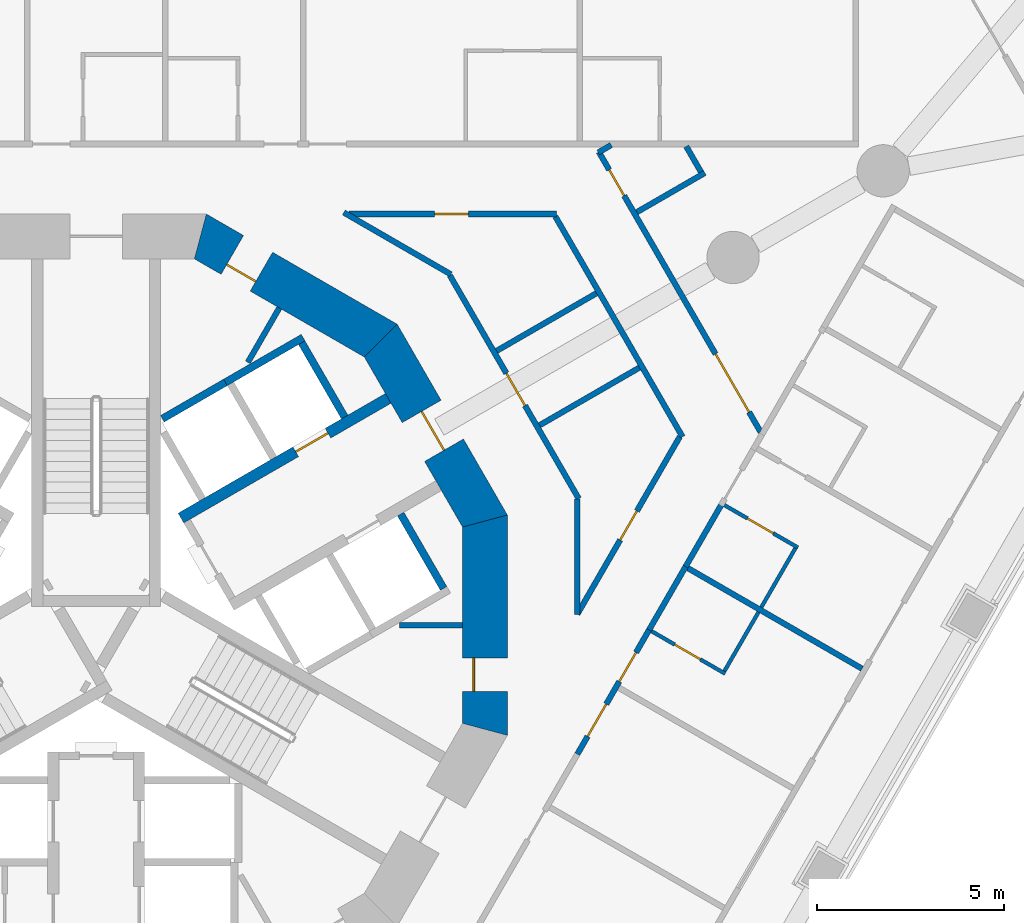
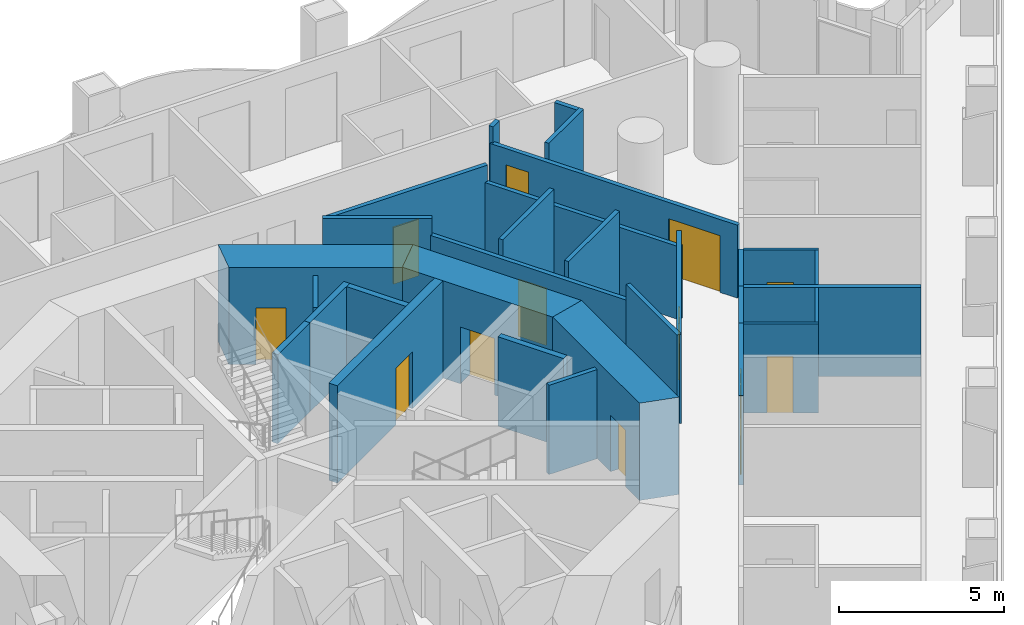
# One storey, part 9 of 20: 30 walls, 13 doors, 13 openings.
"""IFC4 building model written with IfcOpenShell, lengths in metres."""

from ifc_helpers import new_model, si_unit, direction, frame, frame_2d, origin, place, context, subcontext, project, spatial, polyline, rectangle, outline, extrude, material, layer, layer_set, type_object, element, fill, save


model = new_model("IFC4")

# Units and contexts
model_context = context("Model", 3, precision=1e-05, world=origin(), true_north=direction((0.0, 1.0)))
body_context = subcontext(model_context, "Body", "Model", "MODEL_VIEW")
ifc_project = project(units=[si_unit("LENGTHUNIT", "METRE"), si_unit("AREAUNIT", "SQUARE_METRE"), si_unit("VOLUMEUNIT", "CUBIC_METRE"), si_unit("PLANEANGLEUNIT", "RADIAN"), si_unit("MASSUNIT", "GRAM", prefix="KILO")], contexts=[model_context])

# Site, building, storey
site_placement = place(None, origin())
site = spatial("IfcSite", under=ifc_project, at=site_placement, CompositionType="ELEMENT")
building_placement = place(site_placement, origin())
building = spatial("IfcBuilding", under=site, at=building_placement, Name="Trine Commons Tower", CompositionType="ELEMENT")
storey_placement = place(building_placement, frame((0.0, 0.0, 35.10009765625)))
storey = spatial("IfcBuildingStorey", under=building, at=storey_placement, Name="L07", CompositionType="ELEMENT", Elevation=35.10009765625)

# Walls
ifc_material_1 = material(Name="Plasterboard partition on steel studs", Category="steel")
ifc_layer_1 = layer(ifc_material_1, 0.14990234375)
ifc_layer_set_1 = layer_set([ifc_layer_1], Name="Plasterboard partition on steel studs")
wall_type_1 = type_object("IfcWallType", Name="Core room partition 150 mm, EI 60", PredefinedType="PARTITIONING", material=ifc_layer_set_1)
wall_1_placement = place(storey_placement, frame((84.905029296875, 70.9970703125, 0.0), z_axis=(0.0, 0.0, 1.0), x_axis=(-0.500115728942, -0.865958577338, 0.0)))
element("IfcWall", 1, at=wall_1_placement, inside=storey, type_object=wall_type_1, Name="Core room partition L07", PredefinedType="PARTITIONING", context=body_context, shape_type="SweptSolid", body=[
    extrude(rectangle(XDim=1.68359375, YDim=0.14990234375, at=frame_2d((0.841796875, 0.0))), origin(), (0.0, 0.0, 1.0), 3.2998046875),
])
wall_2_placement = place(storey_placement, frame((89.81201171875, 62.5, 0.0), z_axis=(0.0, 0.0, 1.0), x_axis=(-1.0, 0.0, 0.0)))
element("IfcWall", 2, at=wall_2_placement, inside=storey, type_object=wall_type_1, Name="Core room partition L07", PredefinedType="PARTITIONING", context=body_context, shape_type="SweptSolid", body=[
    extrude(rectangle(XDim=1.68310546875, YDim=0.14990234375, at=frame_2d((0.841552734375, 0.0))), origin(), (0.0, 0.0, 1.0), 3.2998046875),
])

# Wall, opening, door
ifc_material_2 = material(Name="Concrete C80/95", Category="concrete")
ifc_layer_2 = layer(ifc_material_2, 1.199951171875)
ifc_layer_set_2 = layer_set([ifc_layer_2], Name="Concrete C80/95")
wall_type_2 = type_object("IfcWallType", Name="RC shear wall 1200 mm, C80/95", PredefinedType="SHEAR", material=ifc_layer_set_2)
wall_3_placement = place(storey_placement, frame((90.41162109375, 59.549560546875, 0.0), z_axis=(0.0, 0.0, 1.0), x_axis=(0.0, 1.0, 0.0)))
wall_3 = element("IfcWall", 3, at=wall_3_placement, inside=storey, type_object=wall_type_2, Name="Core wall CWA-01 L07", PredefinedType="SHEAR", context=body_context, shape_type="SweptSolid", body=[
    extrude(outline(polyline([(0.0, -0.60009765625), (5.90087890625, -0.60009765625), (5.57958984375, 0.60009765625), (0.321533203125, 0.60009765625), (0.0, -0.60009765625)])), origin(), (0.0, 0.0, 1.0), 3.599853515625),
])
opening_1_placement = place(wall_3_placement, frame((1.175537109375, 0.0, 0.0)))
opening_1 = element("IfcOpeningElement", 4, at=opening_1_placement, cuts=wall_3, Name="Opening K06.17", PredefinedType="OPENING", context=body_context, shape_type="SweptSolid", body=[
    extrude(rectangle(XDim=0.89990234375, YDim=2.10009765625, at=frame_2d((0.449951171875, 1.050048828125))), frame((0.0, 0.60986328125, 0.0), z_axis=(0.0, -1.0, 0.0), x_axis=(1.0, 0.0, 0.0)), (0.0, 0.0, 1.0), 1.219970703125),
])
ifc_material_3 = material(Name="Steel door leaf, fire-rated", Category="steel")
door_type_1 = type_object("IfcDoorType", Name="Core room door, single leaf 900 x 2100, FD30S", OperationType="SINGLE_SWING_LEFT", PredefinedType="DOOR", material=ifc_material_3)
door_1_placement = place(opening_1_placement, origin())
door_1 = element("IfcDoor", 5, at=door_1_placement, inside=storey, type_object=door_type_1, Name="Door to Linen store L07", OperationType="SINGLE_SWING_LEFT", OverallHeight=2.10009765625, OverallWidth=0.89990234375, PredefinedType="DOOR", context=body_context, shape_type="SweptSolid", body=[
    extrude(rectangle(XDim=0.89990234375, YDim=2.10009765625, at=frame_2d((0.449951171875, 1.050048828125))), frame((0.0, 0.3251953125, 0.0), z_axis=(0.0, -1.0, 0.0), x_axis=(1.0, 0.0, 0.0)), (0.0, 0.0, 1.0), 0.050048828125),
])
fill(opening_1, door_1)

wall_4_placement = place(storey_placement, frame((90.491943359375, 65.150390625, 0.0), z_axis=(0.0, 0.0, 1.0), x_axis=(-0.499979111662, 0.866037463336, 0.0)))
wall_4 = element("IfcWall", 6, at=wall_4_placement, inside=storey, type_object=wall_type_2, Name="Core wall CWA-02 L07", PredefinedType="SHEAR", context=body_context, shape_type="SweptSolid", body=[
    extrude(outline(polyline([(0.0, -0.60009765625), (5.901123046875, -0.60009765625), (5.57958984375, 0.60009765625), (0.321533203125, 0.60009765625), (0.0, -0.60009765625)])), origin(), (0.0, 0.0, 1.0), 3.599853515625),
])
opening_2_placement = place(wall_4_placement, frame((2.3505859375, 0.0, 0.0)))
opening_2 = element("IfcOpeningElement", 7, at=opening_2_placement, cuts=wall_4, Name="Opening K06.04", PredefinedType="OPENING", context=body_context, shape_type="SweptSolid", body=[
    extrude(rectangle(XDim=1.199951171875, YDim=2.10009765625, at=frame_2d((0.60009765625, 1.050048828125))), frame((0.0, 0.60986328125, 0.0), z_axis=(0.0, -1.0, 0.0), x_axis=(1.0, 0.0, 0.0)), (0.0, 0.0, 1.0), 1.219970703125),
])
ifc_material_4 = material(Name="Steel door leaves, fire-rated", Category="steel")
door_type_2 = type_object("IfcDoorType", Name="Lobby door, double leaf 1200 x 2100, FD60", OperationType="DOUBLE_DOOR_SINGLE_SWING", PredefinedType="DOOR", material=ifc_material_4)
door_2_placement = place(opening_2_placement, origin())
door_2 = element("IfcDoor", 8, at=door_2_placement, inside=storey, type_object=door_type_2, Name="Lobby door, Passenger lift lobby A L07", OperationType="DOUBLE_DOOR_SINGLE_SWING", OverallHeight=2.10009765625, OverallWidth=1.199951171875, PredefinedType="DOOR", context=body_context, shape_type="SweptSolid", body=[
    extrude(rectangle(XDim=1.199951171875, YDim=2.10009765625, at=frame_2d((0.60009765625, 1.050048828125))), frame((0.0, 0.02490234375, 0.0), z_axis=(0.0, -1.0, 0.0), x_axis=(1.0, 0.0, 0.0)), (0.0, 0.0, 1.0), 0.050048828125),
])
fill(opening_2, door_2)

wall_5_placement = place(storey_placement, frame((87.760986328125, 70.04150390625, 0.0), z_axis=(0.0, 0.0, 1.0), x_axis=(-0.866037463336, 0.499979111662, 0.0)))
wall_5 = element("IfcWall", 9, at=wall_5_placement, inside=storey, type_object=wall_type_2, Name="Core wall CWA-03 L07", PredefinedType="SHEAR", context=body_context, shape_type="SweptSolid", body=[
    extrude(outline(polyline([(0.0, -0.60009765625), (5.901123046875, -0.60009765625), (5.57958984375, 0.60009765625), (0.321533203125, 0.60009765625), (0.0, -0.60009765625)])), origin(), (0.0, 0.0, 1.0), 3.599853515625),
])
opening_3_placement = place(wall_5_placement, frame((3.8515625, 0.0, 0.0)))
opening_3 = element("IfcOpeningElement", 10, at=opening_3_placement, cuts=wall_5, Name="Opening K06.12", PredefinedType="OPENING", context=body_context, shape_type="SweptSolid", body=[
    extrude(rectangle(XDim=0.89990234375, YDim=2.10009765625, at=frame_2d((0.449951171875, 1.050048828125))), frame((0.0, 0.60986328125, 0.0), z_axis=(0.0, -1.0, 0.0), x_axis=(1.0, 0.0, 0.0)), (0.0, 0.0, 1.0), 1.219970703125),
])
door_3_placement = place(opening_3_placement, origin())
door_3 = element("IfcDoor", 11, at=door_3_placement, inside=storey, type_object=door_type_1, Name="Door to Cleaner's store L07", OperationType="SINGLE_SWING_RIGHT", OverallHeight=2.10009765625, OverallWidth=0.89990234375, PredefinedType="DOOR", context=body_context, shape_type="SweptSolid", body=[
    extrude(rectangle(XDim=0.89990234375, YDim=2.10009765625, at=frame_2d((0.449951171875, 1.050048828125))), frame((0.0, 0.3251953125, 0.0), z_axis=(0.0, -1.0, 0.0), x_axis=(1.0, 0.0, 0.0)), (0.0, 0.0, 1.0), 0.050048828125),
])
fill(opening_3, door_3)

ifc_layer_3 = layer(ifc_material_2, 0.300048828125)
ifc_layer_set_3 = layer_set([ifc_layer_3], Name="Concrete C80/95")
wall_type_3 = type_object("IfcWallType", Name="RC shear wall 300 mm, C80/95", PredefinedType="SHEAR", material=ifc_layer_set_3)
wall_6_placement = place(storey_placement, frame((82.26904296875, 65.368896484375, 0.0), z_axis=(0.0, 0.0, 1.0), x_axis=(0.866022631842, 0.500004801114, 0.0)))
wall_6 = element("IfcWall", 12, at=wall_6_placement, inside=storey, type_object=wall_type_3, Name="Core cross wall SWA-05 L07", PredefinedType="SHEAR", context=body_context, shape_type="SweptSolid", body=[
    extrude(rectangle(XDim=6.412109375, YDim=0.300048828125, at=frame_2d((3.2060546875, 0.0))), origin(), (0.0, 0.0, 1.0), 3.599853515625),
])
opening_4_placement = place(wall_6_placement, frame((3.55029296875, 0.0, 0.0)))
opening_4 = element("IfcOpeningElement", 13, at=opening_4_placement, cuts=wall_6, Name="Opening LD1", PredefinedType="OPENING", context=body_context, shape_type="SweptSolid", body=[
    extrude(rectangle(XDim=1.0, YDim=2.10009765625, at=frame_2d((0.5, 1.050048828125))), frame((0.0, 0.159912109375, 0.0), z_axis=(0.0, -1.0, 0.0), x_axis=(1.0, 0.0, 0.0)), (0.0, 0.0, 1.0), 0.320068359375),
])
ifc_material_5 = material(Name="Stainless steel sliding door leaves", Category="steel")
door_type_3 = type_object("IfcDoorType", Name="Lift landing door, centre-opening sliding 1000 x 2100, FD90", OperationType="DOUBLE_DOOR_SLIDING", PredefinedType="DOOR", material=ifc_material_5)
door_4_placement = place(opening_4_placement, origin())
door_4 = element("IfcDoor", 14, at=door_4_placement, inside=storey, type_object=door_type_3, Name="Lift landing door LR1 L07", OperationType="DOUBLE_DOOR_SLIDING", OverallHeight=2.10009765625, OverallWidth=1.0, PredefinedType="DOOR", context=body_context, shape_type="SweptSolid", body=[
    extrude(rectangle(XDim=1.0, YDim=2.10009765625, at=frame_2d((0.5, 1.050048828125))), frame((0.0, 0.02490234375, 0.0), z_axis=(0.0, -1.0, 0.0), x_axis=(1.0, 0.0, 0.0)), (0.0, 0.0, 1.0), 0.050048828125),
])
fill(opening_4, door_4)

# Walls
ifc_material_6 = material(Name="Fire-rated gypsum shaft wall system")
ifc_layer_4 = layer(ifc_material_6, 0.199951171875)
ifc_layer_set_4 = layer_set([ifc_layer_4], Name="Fire-rated gypsum shaft wall system")
wall_type_4 = type_object("IfcWallType", Name="Shaft wall 200 mm, EI 120", PredefinedType="PARTITIONING", material=ifc_layer_set_4)
wall_7_placement = place(storey_placement, frame((81.77490234375, 68.028076171875, 0.0), z_axis=(0.0, 0.0, 1.0), x_axis=(0.866052014814, 0.499953905513, 0.0)))
element("IfcWall", 15, at=wall_7_placement, inside=storey, type_object=wall_type_4, Name="Shaft wall L07", PredefinedType="PARTITIONING", context=body_context, shape_type="SweptSolid", body=[
    extrude(rectangle(XDim=1.947998046875, YDim=0.199951171875, at=frame_2d((0.97412109375, 0.0))), origin(), (0.0, 0.0, 1.0), 3.2998046875),
])
wall_8_placement = place(storey_placement, frame((83.4619140625, 69.001953125, 0.0), z_axis=(0.0, 0.0, 1.0), x_axis=(0.866202511239, 0.499693115345, 0.0)))
element("IfcWall", 16, at=wall_8_placement, inside=storey, type_object=wall_type_4, Name="Shaft wall L07", PredefinedType="PARTITIONING", context=body_context, shape_type="SweptSolid", body=[
    extrude(rectangle(XDim=2.4013671875, YDim=0.199951171875, at=frame_2d((1.20068359375, 0.0))), origin(), (0.0, 0.0, 1.0), 3.2998046875),
])
wall_9_placement = place(storey_placement, frame((86.655029296875, 68.073974609375, 0.0), z_axis=(0.0, 0.0, 1.0), x_axis=(-0.500215680983, 0.865900844496, 0.0)))
element("IfcWall", 17, at=wall_9_placement, inside=storey, type_object=wall_type_4, Name="Shaft wall L07", PredefinedType="PARTITIONING", context=body_context, shape_type="SweptSolid", body=[
    extrude(rectangle(XDim=2.29931640625, YDim=0.199951171875, at=frame_2d((1.149658203125, 0.0))), origin(), (0.0, 0.0, 1.0), 3.2998046875),
])
wall_10_placement = place(storey_placement, frame((88.155029296875, 65.47607421875, 0.0), z_axis=(0.0, 0.0, 1.0), x_axis=(0.500136062276, -0.86594683394, 0.0)))
element("IfcWall", 18, at=wall_10_placement, inside=storey, type_object=wall_type_4, Name="Shaft wall L07", PredefinedType="PARTITIONING", context=body_context, shape_type="SweptSolid", body=[
    extrude(rectangle(XDim=2.299072265625, YDim=0.199951171875, at=frame_2d((1.1494140625, 0.0))), origin(), (0.0, 0.0, 1.0), 3.2998046875),
])
ifc_material_7 = material(Name="Gypsum plasterboard on steel stud", Category="steel")
ifc_layer_5 = layer(ifc_material_7, 0.14990234375)
ifc_layer_set_5 = layer_set([ifc_layer_5], Name="Gypsum plasterboard on steel stud")
wall_type_5 = type_object("IfcWallType", Name="Unit and corridor wall 150 mm, EI 60", PredefinedType="PARTITIONING", material=ifc_layer_set_5)
wall_11_placement = place(storey_placement, frame((86.633056640625, 73.551513671875, 0.0), z_axis=(0.0, 0.0, 1.0), x_axis=(0.865959508231, -0.500114117081, 0.0)))
element("IfcWall", 19, at=wall_11_placement, inside=storey, type_object=wall_type_5, Name="Partition 092", PredefinedType="PARTITIONING", context=body_context, shape_type="SweptSolid", body=[
    extrude(rectangle(XDim=3.309326171875, YDim=0.14990234375, at=frame_2d((1.65478515625, 0.0))), origin(), (0.0, 0.0, 1.0), 3.2998046875),
])

# Wall, opening, door
wall_12_placement = place(storey_placement, frame((86.77587890625, 73.511962890625, 0.0), z_axis=(0.0, 0.0, 1.0), x_axis=(1.0, 0.0, 0.0)))
wall_12 = element("IfcWall", 20, at=wall_12_placement, inside=storey, type_object=wall_type_5, Name="Partition 093", PredefinedType="PARTITIONING", context=body_context, shape_type="SweptSolid", body=[
    extrude(rectangle(XDim=5.55810546875, YDim=0.14990234375, at=frame_2d((2.779052734375, 0.0))), origin(), (0.0, 0.0, 1.0), 3.2998046875),
])
opening_5_placement = place(wall_12_placement, frame((2.29150390625, 0.0, 0.0)))
opening_5 = element("IfcOpeningElement", 21, at=opening_5_placement, cuts=wall_12, Name="Opening D-1A36", PredefinedType="OPENING", context=body_context, shape_type="SweptSolid", body=[
    extrude(rectangle(XDim=0.89990234375, YDim=2.10009765625, at=frame_2d((0.449951171875, 1.050048828125))), frame((0.0, 0.0849609375, 0.0), z_axis=(0.0, -1.0, 0.0), x_axis=(1.0, 0.0, 0.0)), (0.0, 0.0, 1.0), 0.169921875),
])
ifc_material_8 = material(Name="Timber fire door set", Category="wood")
door_type_4 = type_object("IfcDoorType", Name="Service door 900 x 2100, FD30S", OperationType="NOTDEFINED", PredefinedType="DOOR", material=ifc_material_8)
door_5_placement = place(opening_5_placement, frame((0.89990234375, 0.0, 0.0), z_axis=(0.0, 0.0, 1.0), x_axis=(-1.0, 0.0, 0.0)))
door_5 = element("IfcDoor", 22, at=door_5_placement, inside=storey, type_object=door_type_4, Name="Door D-1A36", OperationType="SINGLE_SWING_RIGHT", OverallHeight=2.10009765625, OverallWidth=0.89990234375, PredefinedType="DOOR", context=body_context, shape_type="SweptSolid", body=[
    extrude(rectangle(XDim=0.89990234375, YDim=2.10009765625, at=frame_2d((0.449951171875, 1.050048828125))), frame((0.0, 0.02490234375, 0.0), z_axis=(0.0, -1.0, 0.0), x_axis=(1.0, 0.0, 0.0)), (0.0, 0.0, 1.0), 0.050048828125),
])
fill(opening_5, door_5)

wall_13_placement = place(storey_placement, frame((89.471435546875, 71.868896484375, 0.0), z_axis=(0.0, 0.0, 1.0), x_axis=(0.50000193825, -0.866024284732, 0.0)))
wall_13 = element("IfcWall", 23, at=wall_13_placement, inside=storey, type_object=wall_type_5, Name="Partition 099", PredefinedType="PARTITIONING", context=body_context, shape_type="SweptSolid", body=[
    extrude(rectangle(XDim=6.90625, YDim=0.14990234375, at=frame_2d((3.453125, 0.0))), origin(), (0.0, 0.0, 1.0), 2.699951171875),
])
opening_6_placement = place(wall_13_placement, frame((3.0283203125, 0.0, 0.0)))
opening_6 = element("IfcOpeningElement", 24, at=opening_6_placement, cuts=wall_13, Name="Opening D-1A40", PredefinedType="OPENING", context=body_context, shape_type="SweptSolid", body=[
    extrude(rectangle(XDim=1.0, YDim=2.10009765625, at=frame_2d((0.5, 1.050048828125))), frame((0.0, 0.0849609375, 0.0), z_axis=(0.0, -1.0, 0.0), x_axis=(1.0, 0.0, 0.0)), (0.0, 0.0, 1.0), 0.169921875),
])
ifc_material_9 = material(Name="Painted timber", Category="wood")
door_type_5 = type_object("IfcDoorType", Name="Toilet door 1000 x 2100, NOT RATED", OperationType="NOTDEFINED", PredefinedType="DOOR", material=ifc_material_9)
door_6_placement = place(opening_6_placement, origin())
door_6 = element("IfcDoor", 25, at=door_6_placement, inside=storey, type_object=door_type_5, Name="Door D-1A40", OperationType="SINGLE_SWING_RIGHT", OverallHeight=2.10009765625, OverallWidth=1.0, PredefinedType="DOOR", context=body_context, shape_type="SweptSolid", body=[
    extrude(rectangle(XDim=1.0, YDim=2.10009765625, at=frame_2d((0.5, 1.050048828125))), frame((0.0, 0.02490234375, 0.0), z_axis=(0.0, -1.0, 0.0), x_axis=(1.0, 0.0, 0.0)), (0.0, 0.0, 1.0), 0.050048828125),
])
fill(opening_6, door_6)

# Walls
wall_14_placement = place(storey_placement, frame((90.724853515625, 69.846435546875, 0.0), z_axis=(0.0, 0.0, 1.0), x_axis=(0.866014305363, 0.500019222537, 0.0)))
element("IfcWall", 26, at=wall_14_placement, inside=storey, type_object=wall_type_5, Name="Partition 103", PredefinedType="PARTITIONING", context=body_context, shape_type="SweptSolid", body=[
    extrude(rectangle(XDim=3.0859375, YDim=0.14990234375, at=frame_2d((1.54296875, 0.0))), origin(), (0.0, 0.0, 1.0), 3.2998046875),
])
wall_15_placement = place(storey_placement, frame((91.875, 67.8544921875, 0.0), z_axis=(0.0, 0.0, 1.0), x_axis=(0.865994522568, 0.500053484023, 0.0)))
element("IfcWall", 27, at=wall_15_placement, inside=storey, type_object=wall_type_5, Name="Partition 104", PredefinedType="PARTITIONING", context=body_context, shape_type="SweptSolid", body=[
    extrude(rectangle(XDim=3.085693359375, YDim=0.14990234375, at=frame_2d((1.54296875, 0.0))), origin(), (0.0, 0.0, 1.0), 3.2998046875),
])
wall_16_placement = place(storey_placement, frame((92.29638671875, 73.447021484375, 0.0), z_axis=(0.0, 0.0, 1.0), x_axis=(0.499961235371, -0.866047783397, 0.0)))
element("IfcWall", 28, at=wall_16_placement, inside=storey, type_object=wall_type_5, Name="Partition 106", PredefinedType="PARTITIONING", context=body_context, shape_type="SweptSolid", body=[
    extrude(rectangle(XDim=6.81494140625, YDim=0.14990234375, at=frame_2d((3.407470703125, 0.0))), origin(), (0.0, 0.0, 1.0), 2.699951171875),
])

# Wall, openings, doors
wall_17_placement = place(storey_placement, frame((92.886962890625, 59.047119140625, 0.0), z_axis=(0.0, 0.0, 1.0), x_axis=(0.499944721712, 0.866057316367, 0.0)))
wall_17 = element("IfcWall", 29, at=wall_17_placement, inside=storey, type_object=wall_type_5, Name="Partition 107", PredefinedType="PARTITIONING", context=body_context, shape_type="SweptSolid", body=[
    extrude(rectangle(XDim=3.8984375, YDim=0.14990234375, at=frame_2d((1.94921875, 0.0))), origin(), (0.0, 0.0, 1.0), 3.2998046875),
])
opening_7_placement = place(wall_17_placement, frame((2.245361328125, 0.0, 0.0)))
opening_7 = element("IfcOpeningElement", 30, at=opening_7_placement, cuts=wall_17, Name="Opening D-1A18", PredefinedType="OPENING", context=body_context, shape_type="SweptSolid", body=[
    extrude(rectangle(XDim=0.89990234375, YDim=2.10009765625, at=frame_2d((0.449951171875, 1.050048828125))), frame((0.0, 0.0849609375, 0.0), z_axis=(0.0, -1.0, 0.0), x_axis=(1.0, 0.0, 0.0)), (0.0, 0.0, 1.0), 0.169921875),
])
opening_8_placement = place(wall_17_placement, frame((0.547607421875, 0.0, 0.0)))
opening_8 = element("IfcOpeningElement", 31, at=opening_8_placement, cuts=wall_17, Name="Opening D-1A19", PredefinedType="OPENING", context=body_context, shape_type="SweptSolid", body=[
    extrude(rectangle(XDim=1.0, YDim=2.10009765625, at=frame_2d((0.5, 1.050048828125))), frame((0.0, 0.0849609375, 0.0), z_axis=(0.0, -1.0, 0.0), x_axis=(1.0, 0.0, 0.0)), (0.0, 0.0, 1.0), 0.169921875),
])
door_type_6 = type_object("IfcDoorType", Name="Amenity room door 1000 x 2100, NOT RATED", OperationType="NOTDEFINED", PredefinedType="DOOR", material=ifc_material_9)
door_7_placement = place(opening_8_placement, frame((1.0, 0.0, 0.0), z_axis=(0.0, 0.0, 1.0), x_axis=(-1.0, 0.0, 0.0)))
door_7 = element("IfcDoor", 32, at=door_7_placement, inside=storey, type_object=door_type_6, Name="Door D-1A19", OperationType="SINGLE_SWING_RIGHT", OverallHeight=2.10009765625, OverallWidth=1.0, PredefinedType="DOOR", context=body_context, shape_type="SweptSolid", body=[
    extrude(rectangle(XDim=1.0, YDim=2.10009765625, at=frame_2d((0.5, 1.050048828125))), frame((0.0, 0.02490234375, 0.0), z_axis=(0.0, -1.0, 0.0), x_axis=(1.0, 0.0, 0.0)), (0.0, 0.0, 1.0), 0.050048828125),
])
fill(opening_8, door_7)
door_type_7 = type_object("IfcDoorType", Name="Bedroom door 900 x 2100, FD30S", OperationType="NOTDEFINED", PredefinedType="DOOR", material=ifc_material_8)
door_8_placement = place(opening_7_placement, frame((0.89990234375, 0.0, 0.0), z_axis=(0.0, 0.0, 1.0), x_axis=(-1.0, 0.0, 0.0)))
door_8 = element("IfcDoor", 33, at=door_8_placement, inside=storey, type_object=door_type_7, Name="Door D-1A18", OperationType="SINGLE_SWING_LEFT", OverallHeight=2.10009765625, OverallWidth=0.89990234375, PredefinedType="DOOR", context=body_context, shape_type="SweptSolid", body=[
    extrude(rectangle(XDim=0.89990234375, YDim=2.10009765625, at=frame_2d((0.449951171875, 1.050048828125))), frame((0.0, 0.02490234375, 0.0), z_axis=(0.0, -1.0, 0.0), x_axis=(1.0, 0.0, 0.0)), (0.0, 0.0, 1.0), 0.050048828125),
])
fill(opening_7, door_8)

# Wall
wall_18_placement = place(storey_placement, frame((92.886962890625, 62.79296875, 0.0), z_axis=(0.0, 0.0, 1.0), x_axis=(0.0, 1.0, 0.0)))
element("IfcWall", 34, at=wall_18_placement, inside=storey, type_object=wall_type_5, Name="Partition 108", PredefinedType="PARTITIONING", context=body_context, shape_type="SweptSolid", body=[
    extrude(rectangle(XDim=3.0849609375, YDim=0.14990234375, at=frame_2d((1.54248046875, 0.0))), origin(), (0.0, 0.0, 1.0), 3.2998046875),
])

# Wall, opening, door
wall_19_placement = place(storey_placement, frame((92.886962890625, 62.797119140625, 0.0), z_axis=(0.0, 0.0, 1.0), x_axis=(0.500042392625, 0.866000927008, 0.0)))
wall_19 = element("IfcWall", 35, at=wall_19_placement, inside=storey, type_object=wall_type_5, Name="Partition 109", PredefinedType="PARTITIONING", context=body_context, shape_type="SweptSolid", body=[
    extrude(rectangle(XDim=5.482421875, YDim=0.14990234375, at=frame_2d((2.7412109375, 0.0))), origin(), (0.0, 0.0, 1.0), 3.2998046875),
])
opening_9_placement = place(wall_19_placement, frame((2.291259765625, 0.0, 0.0)))
opening_9 = element("IfcOpeningElement", 36, at=opening_9_placement, cuts=wall_19, Name="Opening D-1A37", PredefinedType="OPENING", context=body_context, shape_type="SweptSolid", body=[
    extrude(rectangle(XDim=0.89990234375, YDim=2.10009765625, at=frame_2d((0.449951171875, 1.050048828125))), frame((0.0, 0.0849609375, 0.0), z_axis=(0.0, -1.0, 0.0), x_axis=(1.0, 0.0, 0.0)), (0.0, 0.0, 1.0), 0.169921875),
])
door_9_placement = place(opening_9_placement, origin())
door_9 = element("IfcDoor", 37, at=door_9_placement, inside=storey, type_object=door_type_4, Name="Door D-1A37", OperationType="SINGLE_SWING_LEFT", OverallHeight=2.10009765625, OverallWidth=0.89990234375, PredefinedType="DOOR", context=body_context, shape_type="SweptSolid", body=[
    extrude(rectangle(XDim=0.89990234375, YDim=2.10009765625, at=frame_2d((0.449951171875, 1.050048828125))), frame((0.0, 0.02490234375, 0.0), z_axis=(0.0, -1.0, 0.0), x_axis=(1.0, 0.0, 0.0)), (0.0, 0.0, 1.0), 0.050048828125),
])
fill(opening_9, door_9)

# Wall, openings, doors
wall_20_placement = place(storey_placement, frame((93.464111328125, 75.173095703125, 0.0), z_axis=(0.0, 0.0, 1.0), x_axis=(0.50002999923, -0.866008083028, 0.0)))
wall_20 = element("IfcWall", 38, at=wall_20_placement, inside=storey, type_object=wall_type_5, Name="Partition 112", PredefinedType="PARTITIONING", context=body_context, shape_type="SweptSolid", body=[
    extrude(rectangle(XDim=8.658203125, YDim=0.14990234375, at=frame_2d((4.3291015625, 0.0))), origin(), (0.0, 0.0, 1.0), 2.699951171875),
])
opening_10_placement = place(wall_20_placement, frame((6.24560546875, 0.0, 0.0)))
opening_10 = element("IfcOpeningElement", 39, at=opening_10_placement, cuts=wall_20, Name="Opening D-1A01", PredefinedType="OPENING", context=body_context, shape_type="SweptSolid", body=[
    extrude(rectangle(XDim=1.800048828125, YDim=2.10009765625, at=frame_2d((0.89990234375, 1.050048828125))), frame((0.0, 0.0849609375, 0.0), z_axis=(0.0, -1.0, 0.0), x_axis=(1.0, 0.0, 0.0)), (0.0, 0.0, 1.0), 0.169921875),
])
opening_11_placement = place(wall_20_placement, frame((0.55322265625, 0.0, 0.0)))
opening_11 = element("IfcOpeningElement", 40, at=opening_11_placement, cuts=wall_20, Name="Opening D-1A04", PredefinedType="OPENING", context=body_context, shape_type="SweptSolid", body=[
    extrude(rectangle(XDim=0.800048828125, YDim=2.10009765625, at=frame_2d((0.39990234375, 1.050048828125))), frame((0.0, 0.0849609375, 0.0), z_axis=(0.0, -1.0, 0.0), x_axis=(1.0, 0.0, 0.0)), (0.0, 0.0, 1.0), 0.169921875),
])
door_type_8 = type_object("IfcDoorType", Name="Cluster entrance door 1800 x 2100, double leaf, FD30S", OperationType="DOUBLE_DOOR_DOUBLE_SWING", PredefinedType="DOOR", material=ifc_material_8)
door_10_placement = place(opening_10_placement, origin())
door_10 = element("IfcDoor", 41, at=door_10_placement, inside=storey, type_object=door_type_8, Name="Door D-1A01", OperationType="DOUBLE_DOOR_DOUBLE_SWING", OverallHeight=2.10009765625, OverallWidth=1.800048828125, PredefinedType="DOOR", context=body_context, shape_type="SweptSolid", body=[
    extrude(rectangle(XDim=1.800048828125, YDim=2.10009765625, at=frame_2d((0.89990234375, 1.050048828125))), frame((0.0, 0.02490234375, 0.0), z_axis=(0.0, -1.0, 0.0), x_axis=(1.0, 0.0, 0.0)), (0.0, 0.0, 1.0), 0.050048828125),
])
fill(opening_10, door_10)
door_type_9 = type_object("IfcDoorType", Name="Toilet door 800 x 2100, NOT RATED", OperationType="NOTDEFINED", PredefinedType="DOOR", material=ifc_material_9)
door_11_placement = place(opening_11_placement, origin())
door_11 = element("IfcDoor", 42, at=door_11_placement, inside=storey, type_object=door_type_9, Name="Door D-1A04", OperationType="SINGLE_SWING_LEFT", OverallHeight=2.10009765625, OverallWidth=0.800048828125, PredefinedType="DOOR", context=body_context, shape_type="SweptSolid", body=[
    extrude(rectangle(XDim=0.800048828125, YDim=2.10009765625, at=frame_2d((0.39990234375, 1.050048828125))), frame((0.0, 0.02490234375, 0.0), z_axis=(0.0, -1.0, 0.0), x_axis=(1.0, 0.0, 0.0)), (0.0, 0.0, 1.0), 0.050048828125),
])
fill(opening_11, door_11)

# Walls
wall_21_placement = place(storey_placement, frame((93.447998046875, 75.159423828125, 0.0), z_axis=(0.0, 0.0, 1.0), x_axis=(0.865412357026, 0.50106032801, 0.0)))
element("IfcWall", 43, at=wall_21_placement, inside=storey, type_object=wall_type_5, Name="Partition 113", PredefinedType="PARTITIONING", context=body_context, shape_type="SweptSolid", body=[
    extrude(rectangle(XDim=0.400146484375, YDim=0.14990234375, at=frame_2d((0.2001953125, 0.0))), origin(), (0.0, 0.0, 1.0), 3.2998046875),
])
wall_22_placement = place(storey_placement, frame((94.48095703125, 73.5625, 0.0), z_axis=(0.0, 0.0, 1.0), x_axis=(0.866067520717, 0.499927044236, 0.0)))
element("IfcWall", 44, at=wall_22_placement, inside=storey, type_object=wall_type_5, Name="Partition 115", PredefinedType="PARTITIONING", context=body_context, shape_type="SweptSolid", body=[
    extrude(rectangle(XDim=2.100341796875, YDim=0.14990234375, at=frame_2d((1.05029296875, 0.0))), origin(), (0.0, 0.0, 1.0), 3.2998046875),
])
wall_23_placement = place(storey_placement, frame((94.80810546875, 62.3740234375, 0.0), z_axis=(0.0, 0.0, 1.0), x_axis=(0.499884524299, 0.866092063448, 0.0)))
element("IfcWall", 45, at=wall_23_placement, inside=storey, type_object=wall_type_5, Name="Partition 116", PredefinedType="PARTITIONING", context=body_context, shape_type="SweptSolid", body=[
    extrude(rectangle(XDim=1.9560546875, YDim=0.14990234375, at=frame_2d((0.97802734375, 0.0))), origin(), (0.0, 0.0, 1.0), 3.2998046875),
])
wall_24_placement = place(storey_placement, frame((95.803466796875, 75.322021484375, 0.0), z_axis=(0.0, 0.0, 1.0), x_axis=(0.500205309043, -0.8659068361, 0.0)))
element("IfcWall", 46, at=wall_24_placement, inside=storey, type_object=wall_type_5, Name="Partition 119", PredefinedType="PARTITIONING", context=body_context, shape_type="SweptSolid", body=[
    extrude(rectangle(XDim=0.787841796875, YDim=0.14990234375, at=frame_2d((0.39404296875, 0.0))), origin(), (0.0, 0.0, 1.0), 3.2998046875),
])
wall_25_placement = place(storey_placement, frame((95.744384765625, 63.9970703125, 0.0), z_axis=(0.0, 0.0, 1.0), x_axis=(0.500169528197, 0.865927504508, 0.0)))
element("IfcWall", 47, at=wall_25_placement, inside=storey, type_object=wall_type_5, Name="Partition 120", PredefinedType="PARTITIONING", context=body_context, shape_type="SweptSolid", body=[
    extrude(rectangle(XDim=2.032470703125, YDim=0.14990234375, at=frame_2d((1.01611328125, 0.0))), origin(), (0.0, 0.0, 1.0), 3.2998046875),
])
wall_26_placement = place(storey_placement, frame((95.84912109375, 64.027587890625, 0.0), z_axis=(0.0, 0.0, 1.0), x_axis=(0.865992970276, -0.500056172277, 0.0)))
element("IfcWall", 48, at=wall_26_placement, inside=storey, type_object=wall_type_5, Name="Partition 121", PredefinedType="PARTITIONING", context=body_context, shape_type="SweptSolid", body=[
    extrude(rectangle(XDim=5.3828125, YDim=0.14990234375, at=frame_2d((2.69140625, 0.0))), origin(), (0.0, 0.0, 1.0), 3.2998046875),
])

# Wall, opening, door
ifc_layer_6 = layer(ifc_material_7, 0.10009765625)
ifc_layer_set_6 = layer_set([ifc_layer_6], Name="Gypsum plasterboard on steel stud")
wall_type_6 = type_object("IfcWallType", Name="Unit partition 100 mm, no rating", PredefinedType="PARTITIONING", material=ifc_layer_set_6)
wall_27_placement = place(storey_placement, frame((94.8740234375, 62.339599609375, 0.0), z_axis=(0.0, 0.0, 1.0), x_axis=(0.865989003036, -0.500063042646, 0.0)))
wall_27 = element("IfcWall", 49, at=wall_27_placement, inside=storey, type_object=wall_type_6, Name="Partition 117", PredefinedType="PARTITIONING", context=body_context, shape_type="SweptSolid", body=[
    extrude(rectangle(XDim=2.275146484375, YDim=0.10009765625, at=frame_2d((1.1376953125, 0.0))), origin(), (0.0, 0.0, 1.0), 3.2998046875),
])
opening_12_placement = place(wall_27_placement, frame((0.712646484375, 0.0, 0.0)))
opening_12 = element("IfcOpeningElement", 50, at=opening_12_placement, cuts=wall_27, Name="Opening D-1A51", PredefinedType="OPENING", context=body_context, shape_type="SweptSolid", body=[
    extrude(rectangle(XDim=0.800048828125, YDim=2.10009765625, at=frame_2d((0.39990234375, 1.050048828125))), frame((0.0, 0.06005859375, 0.0), z_axis=(0.0, -1.0, 0.0), x_axis=(1.0, 0.0, 0.0)), (0.0, 0.0, 1.0), 0.1201171875),
])
door_type_10 = type_object("IfcDoorType", Name="Internal door 800 x 2100, NOT RATED", OperationType="NOTDEFINED", PredefinedType="DOOR", material=ifc_material_9)
door_12_placement = place(opening_12_placement, frame((0.800048828125, 0.0, 0.0), z_axis=(0.0, 0.0, 1.0), x_axis=(-1.0, 0.0, 0.0)))
door_12 = element("IfcDoor", 51, at=door_12_placement, inside=storey, type_object=door_type_10, Name="Door D-1A51", OperationType="SINGLE_SWING_RIGHT", OverallHeight=2.10009765625, OverallWidth=0.800048828125, PredefinedType="DOOR", context=body_context, shape_type="SweptSolid", body=[
    extrude(rectangle(XDim=0.800048828125, YDim=2.10009765625, at=frame_2d((0.39990234375, 1.050048828125))), frame((0.0, 0.02490234375, 0.0), z_axis=(0.0, -1.0, 0.0), x_axis=(1.0, 0.0, 0.0)), (0.0, 0.0, 1.0), 0.050048828125),
])
fill(opening_12, door_12)

wall_28_placement = place(storey_placement, frame((96.823974609375, 65.716552734375, 0.0), z_axis=(0.0, 0.0, 1.0), x_axis=(0.866035472144, -0.499982560684, 0.0)))
wall_28 = element("IfcWall", 52, at=wall_28_placement, inside=storey, type_object=wall_type_6, Name="Partition 123", PredefinedType="PARTITIONING", context=body_context, shape_type="SweptSolid", body=[
    extrude(rectangle(XDim=2.27490234375, YDim=0.10009765625, at=frame_2d((1.137451171875, 0.0))), origin(), (0.0, 0.0, 1.0), 3.2998046875),
])
opening_13_placement = place(wall_28_placement, frame((0.712646484375, 0.0, 0.0)))
opening_13 = element("IfcOpeningElement", 53, at=opening_13_placement, cuts=wall_28, Name="Opening D-1A50", PredefinedType="OPENING", context=body_context, shape_type="SweptSolid", body=[
    extrude(rectangle(XDim=0.800048828125, YDim=2.10009765625, at=frame_2d((0.39990234375, 1.050048828125))), frame((0.0, 0.06005859375, 0.0), z_axis=(0.0, -1.0, 0.0), x_axis=(1.0, 0.0, 0.0)), (0.0, 0.0, 1.0), 0.1201171875),
])
door_13_placement = place(opening_13_placement, origin())
door_13 = element("IfcDoor", 54, at=door_13_placement, inside=storey, type_object=door_type_10, Name="Door D-1A50", OperationType="SINGLE_SWING_LEFT", OverallHeight=2.10009765625, OverallWidth=0.800048828125, PredefinedType="DOOR", context=body_context, shape_type="SweptSolid", body=[
    extrude(rectangle(XDim=0.800048828125, YDim=2.10009765625, at=frame_2d((0.39990234375, 1.050048828125))), frame((0.0, 0.02490234375, 0.0), z_axis=(0.0, -1.0, 0.0), x_axis=(1.0, 0.0, 0.0)), (0.0, 0.0, 1.0), 0.050048828125),
])
fill(opening_13, door_13)

# Walls
wall_29_placement = place(storey_placement, frame((96.825927734375, 61.270263671875, 0.0), z_axis=(0.0, 0.0, 1.0), x_axis=(0.500197336954, 0.86591144126, 0.0)))
element("IfcWall", 55, at=wall_29_placement, inside=storey, type_object=wall_type_6, Name="Partition 124", PredefinedType="PARTITIONING", context=body_context, shape_type="SweptSolid", body=[
    extrude(rectangle(XDim=1.824462890625, YDim=0.10009765625, at=frame_2d((0.912109375, 0.0))), origin(), (0.0, 0.0, 1.0), 3.2998046875),
])
wall_30_placement = place(storey_placement, frame((97.8134765625, 62.97998046875, 0.0), z_axis=(0.0, 0.0, 1.0), x_axis=(0.499965592563, 0.866045268016, 0.0)))
element("IfcWall", 56, at=wall_30_placement, inside=storey, type_object=wall_type_6, Name="Partition 127", PredefinedType="PARTITIONING", context=body_context, shape_type="SweptSolid", body=[
    extrude(rectangle(XDim=1.825439453125, YDim=0.10009765625, at=frame_2d((0.91259765625, 0.0))), origin(), (0.0, 0.0, 1.0), 3.2998046875),
])

save(model, "model.ifc")
